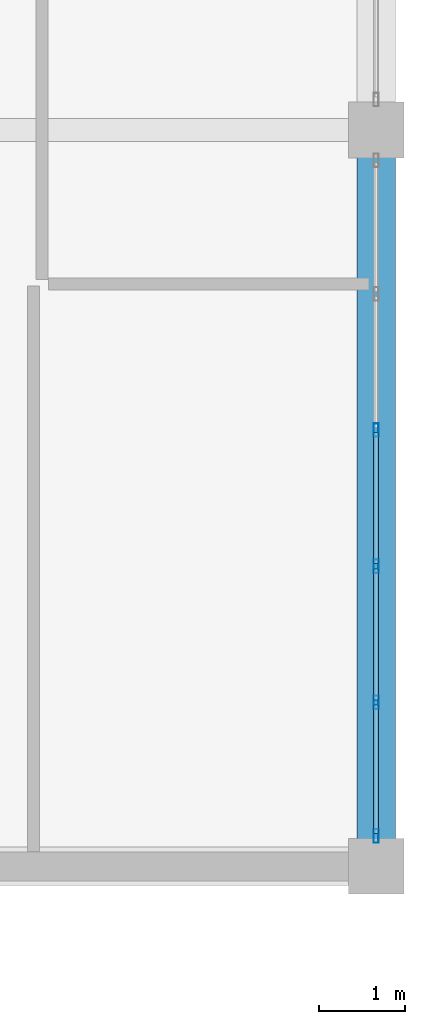
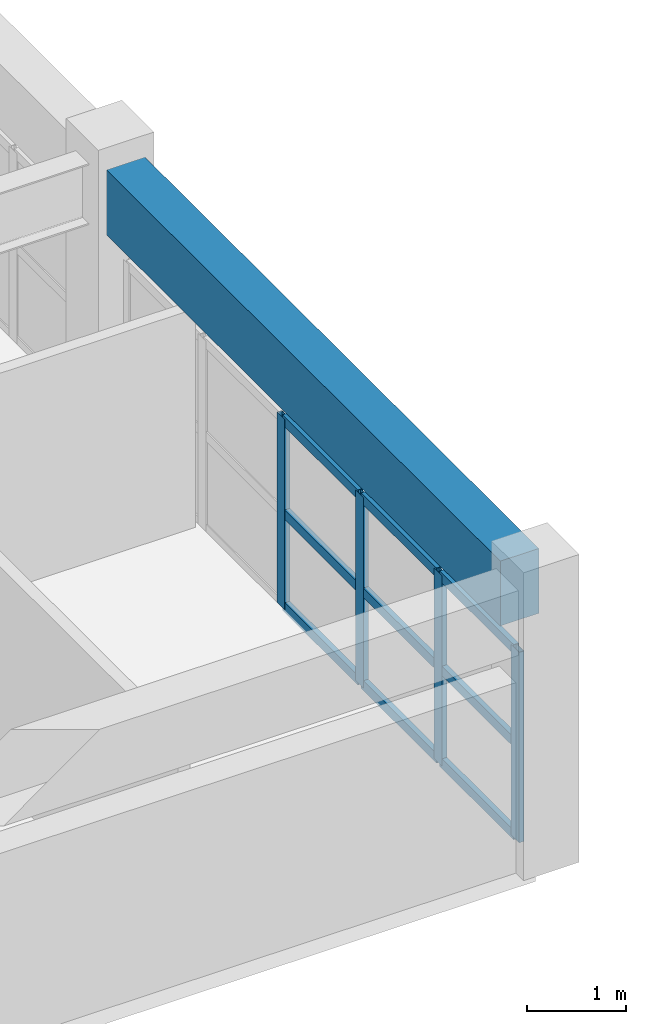
# One storey, part 32 of 74: 13 members, 1 beam, 1 element without a shape of its own.
"""IFC4 building model written with IfcOpenShell, lengths in metres."""

from ifc_helpers import new_model, si_unit, direction, frame, origin, origin_2d, place, context, subcontext, project, spatial, rectangle, hollow_rectangle, extrude, material, layer, layer_set, material_profile, profile_set, type_object, element, aggregate, save


model = new_model("IFC4")

# Units and contexts
model_context = context("Model", 3, precision=1e-05, world=origin(), true_north=direction((0.0, 1.0)))
body_context = subcontext(model_context, "Body", "Model", "MODEL_VIEW")
ifc_project = project(units=[si_unit("LENGTHUNIT", "METRE"), si_unit("AREAUNIT", "SQUARE_METRE"), si_unit("VOLUMEUNIT", "CUBIC_METRE"), si_unit("PLANEANGLEUNIT", "RADIAN"), si_unit("MASSUNIT", "GRAM", prefix="KILO")], contexts=[model_context])

# Site, building, storey
site_placement = place(None, origin())
site = spatial("IfcSite", under=ifc_project, at=site_placement, CompositionType="ELEMENT")
building_placement = place(site_placement, origin())
building = spatial("IfcBuilding", under=site, at=building_placement, Name="Muzn Square Opera House", CompositionType="ELEMENT")
storey_placement = place(building_placement, frame((0.0, 0.0, 14.199951171875)))
storey = spatial("IfcBuildingStorey", under=building, at=storey_placement, Name="L03", CompositionType="ELEMENT", Elevation=14.199951171875)

# Curtain wall, members
ifc_material_1 = material(Name="Low-E laminated acoustic double glazing", Category="glass")
ifc_layer = layer(ifc_material_1, 0.159912109375, Name="Low-E laminated acoustic double glazing", Category="glass")
ifc_layer_set = layer_set([ifc_layer], Name="Low-E laminated acoustic double glazing")
curtain_wall_type = type_object("IfcCurtainWallType", Name="Glazed Curtain Wall RehearsalEast 7950x2350", PredefinedType="USERDEFINED", material=ifc_layer_set)
curtain_wall_placement = place(storey_placement, origin())
curtain_wall = element("IfcCurtainWall", 1, at=curtain_wall_placement, inside=storey, type_object=curtain_wall_type, Name="Glazed Curtain Wall CW-L03-126", ObjectType="GLAZED CURTAIN WALL", PredefinedType="USERDEFINED")
ifc_material_2 = material(Name="Anodised bronze aluminium 6063-T6", Category="metal")
ifc_material_profile_1 = material_profile(ifc_material_2, hollow_rectangle(XDim=0.06005859375, YDim=0.159912109375, WallThickness=0.00390625, at=origin_2d()), Name="ALU 160x60x4", Category="metal")
ifc_profile_set_1 = profile_set([ifc_material_profile_1], Name="Anodised bronze aluminium 6063-T6")
member_type_1 = type_object("IfcMemberType", Name="Curtain Wall Mullion 160x60", PredefinedType="MULLION", material=ifc_profile_set_1)
member_1_placement = place(storey_placement, frame((170.0, 72.955078125, 0.0), z_axis=(0.0, 0.0, 1.0), x_axis=(-1.0, 0.0, 0.0)))
member_1 = element("IfcMember", 2, at=member_1_placement, type_object=member_type_1, Name="CW-RHE-79x23 mullion 1", PredefinedType="MULLION", context=body_context, shape_type="SweptSolid", body=[
    extrude(hollow_rectangle(XDim=0.06005859375, YDim=0.159912109375, WallThickness=0.00390625, at=origin_2d()), origin(), (0.0, 0.0, 1.0), 2.35009765625),
])
member_2_placement = place(storey_placement, frame((170.0, 74.514892578125, 0.0), z_axis=(0.0, 0.0, 1.0), x_axis=(-1.0, 0.0, 0.0)))
member_2 = element("IfcMember", 3, at=member_2_placement, type_object=member_type_1, Name="CW-RHE-79x23 mullion 2", PredefinedType="MULLION", context=body_context, shape_type="SweptSolid", body=[
    extrude(hollow_rectangle(XDim=0.06005859375, YDim=0.159912109375, WallThickness=0.00390625, at=origin_2d()), origin(), (0.0, 0.0, 1.0), 2.35009765625),
])
member_3_placement = place(storey_placement, frame((170.0, 76.10498046875, 0.0), z_axis=(0.0, 0.0, 1.0), x_axis=(-1.0, 0.0, 0.0)))
member_3 = element("IfcMember", 4, at=member_3_placement, type_object=member_type_1, Name="CW-RHE-79x23 mullion 3", PredefinedType="MULLION", context=body_context, shape_type="SweptSolid", body=[
    extrude(hollow_rectangle(XDim=0.06005859375, YDim=0.159912109375, WallThickness=0.00390625, at=origin_2d()), origin(), (0.0, 0.0, 1.0), 2.35009765625),
])
member_4_placement = place(storey_placement, frame((170.0, 77.695068359375, 0.0), z_axis=(0.0, 0.0, 1.0), x_axis=(-1.0, 0.0, 0.0)))
member_4 = element("IfcMember", 5, at=member_4_placement, type_object=member_type_1, Name="CW-RHE-79x23 mullion 4", PredefinedType="MULLION", context=body_context, shape_type="SweptSolid", body=[
    extrude(hollow_rectangle(XDim=0.06005859375, YDim=0.159912109375, WallThickness=0.00390625, at=origin_2d()), origin(), (0.0, 0.0, 1.0), 2.35009765625),
])
ifc_material_profile_2 = material_profile(ifc_material_2, hollow_rectangle(XDim=0.06005859375, YDim=0.1201171875, WallThickness=0.00390625, at=origin_2d()), Name="ALU 120x60x4", Category="metal")
ifc_profile_set_2 = profile_set([ifc_material_profile_2], Name="Anodised bronze aluminium 6063-T6")
member_type_2 = type_object("IfcMemberType", Name="Curtain Wall Transom 120x60", PredefinedType="USERDEFINED", material=ifc_profile_set_2)
member_5_placement = place(storey_placement, frame((170.0, 72.985107421875, 0.030029296875), z_axis=(0.0, 1.0, 0.0), x_axis=(-1.0, 0.0, 0.0)))
member_5 = element("IfcMember", 6, at=member_5_placement, type_object=member_type_2, Name="CW-RHE-79x23 transom 1.1", ObjectType="TRANSOM", PredefinedType="USERDEFINED", context=body_context, shape_type="SweptSolid", body=[
    extrude(hollow_rectangle(XDim=0.06005859375, YDim=0.1201171875, WallThickness=0.00390625, at=origin_2d()), origin(), (0.0, 0.0, 1.0), 1.5),
])
member_6_placement = place(storey_placement, frame((170.0, 72.985107421875, 1.175048828125), z_axis=(0.0, 1.0, 0.0), x_axis=(-1.0, 0.0, 0.0)))
member_6 = element("IfcMember", 7, at=member_6_placement, type_object=member_type_2, Name="CW-RHE-79x23 transom 1.2", ObjectType="TRANSOM", PredefinedType="USERDEFINED", context=body_context, shape_type="SweptSolid", body=[
    extrude(hollow_rectangle(XDim=0.06005859375, YDim=0.1201171875, WallThickness=0.00390625, at=origin_2d()), origin(), (0.0, 0.0, 1.0), 1.5),
])
member_7_placement = place(storey_placement, frame((170.0, 72.985107421875, 2.320068359375), z_axis=(0.0, 1.0, 0.0), x_axis=(-1.0, 0.0, 0.0)))
member_7 = element("IfcMember", 8, at=member_7_placement, type_object=member_type_2, Name="CW-RHE-79x23 transom 1.3", ObjectType="TRANSOM", PredefinedType="USERDEFINED", context=body_context, shape_type="SweptSolid", body=[
    extrude(hollow_rectangle(XDim=0.06005859375, YDim=0.1201171875, WallThickness=0.00390625, at=origin_2d()), origin(), (0.0, 0.0, 1.0), 1.5),
])
member_8_placement = place(storey_placement, frame((170.0, 74.544921875, 0.030029296875), z_axis=(0.0, 1.0, 0.0), x_axis=(-1.0, 0.0, 0.0)))
member_8 = element("IfcMember", 9, at=member_8_placement, type_object=member_type_2, Name="CW-RHE-79x23 transom 2.1", ObjectType="TRANSOM", PredefinedType="USERDEFINED", context=body_context, shape_type="SweptSolid", body=[
    extrude(hollow_rectangle(XDim=0.06005859375, YDim=0.1201171875, WallThickness=0.00390625, at=origin_2d()), origin(), (0.0, 0.0, 1.0), 1.530029296875),
])
member_9_placement = place(storey_placement, frame((170.0, 74.544921875, 1.175048828125), z_axis=(0.0, 1.0, 0.0), x_axis=(-1.0, 0.0, 0.0)))
member_9 = element("IfcMember", 10, at=member_9_placement, type_object=member_type_2, Name="CW-RHE-79x23 transom 2.2", ObjectType="TRANSOM", PredefinedType="USERDEFINED", context=body_context, shape_type="SweptSolid", body=[
    extrude(hollow_rectangle(XDim=0.06005859375, YDim=0.1201171875, WallThickness=0.00390625, at=origin_2d()), origin(), (0.0, 0.0, 1.0), 1.530029296875),
])
member_10_placement = place(storey_placement, frame((170.0, 74.544921875, 2.320068359375), z_axis=(0.0, 1.0, 0.0), x_axis=(-1.0, 0.0, 0.0)))
member_10 = element("IfcMember", 11, at=member_10_placement, type_object=member_type_2, Name="CW-RHE-79x23 transom 2.3", ObjectType="TRANSOM", PredefinedType="USERDEFINED", context=body_context, shape_type="SweptSolid", body=[
    extrude(hollow_rectangle(XDim=0.06005859375, YDim=0.1201171875, WallThickness=0.00390625, at=origin_2d()), origin(), (0.0, 0.0, 1.0), 1.530029296875),
])
member_11_placement = place(storey_placement, frame((170.0, 76.135009765625, 0.030029296875), z_axis=(0.0, 1.0, 0.0), x_axis=(-1.0, 0.0, 0.0)))
member_11 = element("IfcMember", 12, at=member_11_placement, type_object=member_type_2, Name="CW-RHE-79x23 transom 3.1", ObjectType="TRANSOM", PredefinedType="USERDEFINED", context=body_context, shape_type="SweptSolid", body=[
    extrude(hollow_rectangle(XDim=0.06005859375, YDim=0.1201171875, WallThickness=0.00390625, at=origin_2d()), origin(), (0.0, 0.0, 1.0), 1.530029296875),
])
member_12_placement = place(storey_placement, frame((170.0, 76.135009765625, 1.175048828125), z_axis=(0.0, 1.0, 0.0), x_axis=(-1.0, 0.0, 0.0)))
member_12 = element("IfcMember", 13, at=member_12_placement, type_object=member_type_2, Name="CW-RHE-79x23 transom 3.2", ObjectType="TRANSOM", PredefinedType="USERDEFINED", context=body_context, shape_type="SweptSolid", body=[
    extrude(hollow_rectangle(XDim=0.06005859375, YDim=0.1201171875, WallThickness=0.00390625, at=origin_2d()), origin(), (0.0, 0.0, 1.0), 1.530029296875),
])
member_13_placement = place(storey_placement, frame((170.0, 76.135009765625, 2.320068359375), z_axis=(0.0, 1.0, 0.0), x_axis=(-1.0, 0.0, 0.0)))
member_13 = element("IfcMember", 14, at=member_13_placement, type_object=member_type_2, Name="CW-RHE-79x23 transom 3.3", ObjectType="TRANSOM", PredefinedType="USERDEFINED", context=body_context, shape_type="SweptSolid", body=[
    extrude(hollow_rectangle(XDim=0.06005859375, YDim=0.1201171875, WallThickness=0.00390625, at=origin_2d()), origin(), (0.0, 0.0, 1.0), 1.530029296875),
])
aggregate(curtain_wall, [member_1, member_2, member_3, member_4, member_5, member_6, member_7, member_8, member_9, member_10, member_11, member_12, member_13])

# Beam
ifc_material_3 = material(Name="Concrete C40/50", Category="concrete")
ifc_material_profile_3 = material_profile(ifc_material_3, rectangle(XDim=0.449951171875, YDim=0.800048828125, at=origin_2d()), Name="RCB 450x800", Category="concrete")
ifc_profile_set_3 = profile_set([ifc_material_profile_3], Name="Concrete C40/50")
beam_type = type_object("IfcBeamType", Name="Primary Girder 450x800", PredefinedType="BEAM", material=ifc_profile_set_3)
beam_placement = place(storey_placement, frame((170.0, 72.9169921875, 3.1201171875), z_axis=(0.0, 1.0, 0.0), x_axis=(-1.0, 0.0, 0.0)))
element("IfcBeam", 15, at=beam_placement, inside=storey, type_object=beam_type, Name="Primary Girder BM-L03-BM-PG800-1700_729_1700_809-2633", PredefinedType="BEAM", context=body_context, shape_type="SweptSolid", body=[
    extrude(rectangle(XDim=0.449951171875, YDim=0.800048828125, at=origin_2d()), origin(), (0.0, 0.0, 1.0), 7.966064453125),
])

save(model, "model.ifc")
